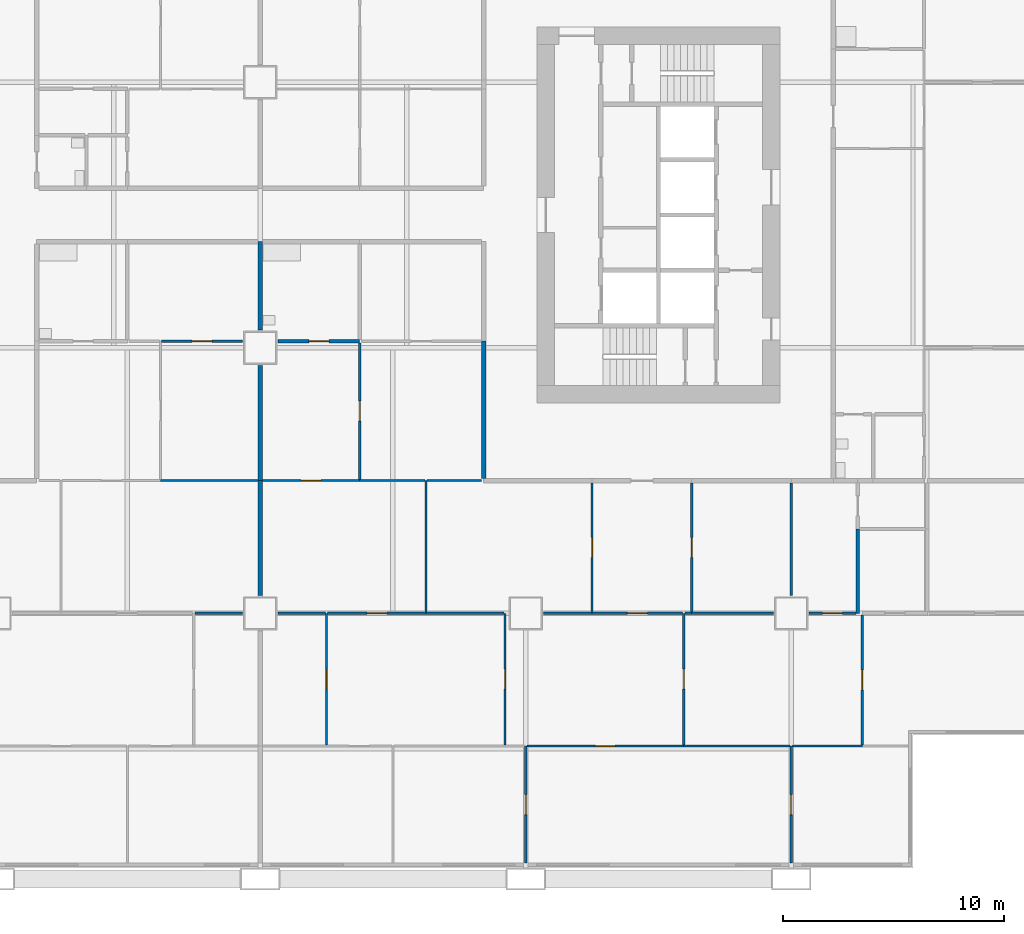
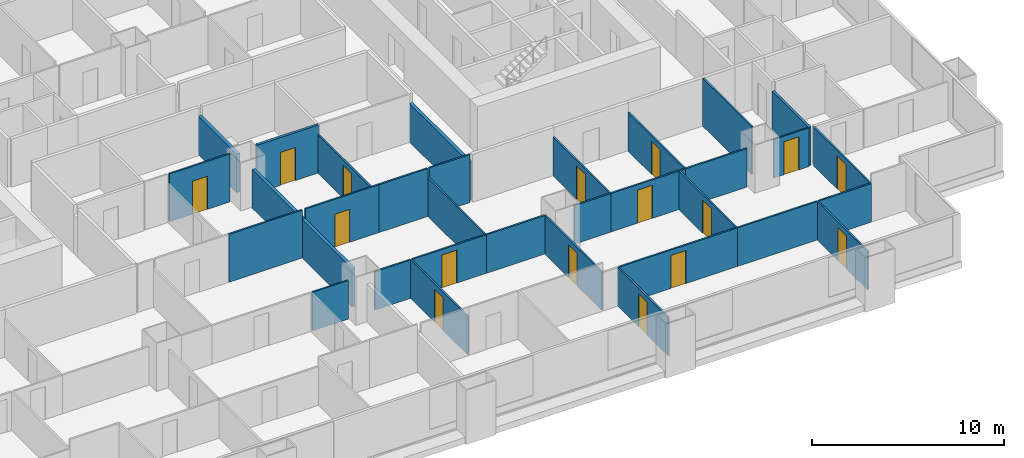
# One storey, part 5 of 13: 34 walls, 16 doors, 16 openings.
"""IFC4 building model written with IfcOpenShell, lengths in metres."""

from ifc_helpers import new_model, si_unit, direction, frame, frame_2d, origin, place, context, subcontext, project, spatial, rectangle, extrude, material, layer, layer_set, type_object, element, fill, save


model = new_model("IFC4")

# Units and contexts
model_context = context("Model", 3, precision=1e-05, world=origin(), true_north=direction((0.0, 1.0)))
body_context = subcontext(model_context, "Body", "Model", "MODEL_VIEW")
ifc_project = project(units=[si_unit("LENGTHUNIT", "METRE"), si_unit("AREAUNIT", "SQUARE_METRE"), si_unit("VOLUMEUNIT", "CUBIC_METRE"), si_unit("PLANEANGLEUNIT", "RADIAN"), si_unit("MASSUNIT", "GRAM", prefix="KILO")], contexts=[model_context])

# Site, building, storey
site_placement = place(None, origin())
site = spatial("IfcSite", under=ifc_project, at=site_placement, CompositionType="ELEMENT")
building_placement = place(site_placement, origin())
building = spatial("IfcBuilding", under=site, at=building_placement, Name="Kitamizu Gate Tower and Museum", CompositionType="ELEMENT")
storey_placement = place(building_placement, frame((0.0, 0.0, 36.89990234375)))
storey = spatial("IfcBuildingStorey", under=building, at=storey_placement, Name="L07", CompositionType="ELEMENT", Elevation=36.89990234375)

# Walls
ifc_material_1 = material(Name="Gypsum board on galvanised stud")
ifc_layer_1 = layer(ifc_material_1, 0.10009765625)
ifc_layer_set_1 = layer_set([ifc_layer_1], Name="Gypsum board on galvanised stud")
wall_type_1 = type_object("IfcWallType", Name="Partition 100 NOT RATED", PredefinedType="PARTITIONING", material=ifc_layer_set_1)
wall_1_placement = place(storey_placement, frame((35.199951171875, 12.0, 0.0), z_axis=(0.0, 0.0, 1.0), x_axis=(-1.0, 0.0, 0.0)))
element("IfcWall", 1, at=wall_1_placement, inside=storey, type_object=wall_type_1, Name="Partition L07-025", PredefinedType="PARTITIONING", context=body_context, shape_type="SweptSolid", body=[
    extrude(rectangle(XDim=2.14990234375, YDim=0.10009765625, at=frame_2d((1.074951171875, 0.0))), origin(), (0.0, 0.0, 1.0), 2.4501953125),
])
wall_2_placement = place(storey_placement, frame((35.89990234375, 18.0, 0.0), z_axis=(0.0, 0.0, 1.0), x_axis=(-1.0, 0.0, 0.0)))
element("IfcWall", 2, at=wall_2_placement, inside=storey, type_object=wall_type_1, Name="Partition L07-037", PredefinedType="PARTITIONING", context=body_context, shape_type="SweptSolid", body=[
    extrude(rectangle(XDim=4.39990234375, YDim=0.10009765625, at=frame_2d((2.199951171875, 0.0))), origin(), (0.0, 0.0, 1.0), 3.050048828125),
])

# Wall, opening, door
wall_3_placement = place(storey_placement, frame((35.199951171875, 24.300048828125, 0.0), z_axis=(0.0, 0.0, 1.0), x_axis=(-1.0, 0.0, 0.0)))
wall_3 = element("IfcWall", 3, at=wall_3_placement, inside=storey, type_object=wall_type_1, Name="Partition L07-044", PredefinedType="PARTITIONING", context=body_context, shape_type="SweptSolid", body=[
    extrude(rectangle(XDim=3.64990234375, YDim=0.10009765625, at=frame_2d((1.824951171875, 0.0))), origin(), (0.0, 0.0, 1.0), 3.050048828125),
])
opening_1_placement = place(wall_3_placement, frame((1.375, 0.0, 0.0)))
opening_1 = element("IfcOpeningElement", 4, at=opening_1_placement, cuts=wall_3, Name="Opening L07-018", PredefinedType="OPENING", context=body_context, shape_type="SweptSolid", body=[
    extrude(rectangle(XDim=0.89990234375, YDim=2.10009765625, at=frame_2d((0.449951171875, 1.050048828125))), frame((0.0, 0.06005859375, 0.0), z_axis=(0.0, -1.0, 0.0), x_axis=(1.0, 0.0, 0.0)), (0.0, 0.0, 1.0), 0.1201171875),
])
ifc_material_2 = material(Name="Timber door set", Category="wood")
door_type_1 = type_object("IfcDoorType", Name="Room door 900", OperationType="NOTDEFINED", PredefinedType="DOOR", material=ifc_material_2)
door_1_placement = place(opening_1_placement, frame((0.89990234375, 0.0, 0.0), x_axis=(-1.0, 0.0, 0.0)))
door_1 = element("IfcDoor", 5, at=door_1_placement, inside=storey, type_object=door_type_1, Name="Door L07-018", OperationType="SINGLE_SWING_LEFT", OverallHeight=2.10009765625, OverallWidth=0.89990234375, PredefinedType="DOOR", context=body_context, shape_type="SweptSolid", body=[
    extrude(rectangle(XDim=0.89990234375, YDim=2.10009765625, at=frame_2d((0.449951171875, 1.050048828125))), frame((0.0, 0.02490234375, 0.0), z_axis=(0.0, -1.0, 0.0), x_axis=(1.0, 0.0, 0.0)), (0.0, 0.0, 1.0), 0.050048828125),
])
fill(opening_1, door_1)

wall_4_placement = place(storey_placement, frame((48.0, 0.719970703125, 0.0), z_axis=(0.0, 0.0, 1.0), x_axis=(0.0, 1.0, 0.0)))
wall_4 = element("IfcWall", 6, at=wall_4_placement, inside=storey, type_object=wall_type_1, Name="Partition L07-076", PredefinedType="PARTITIONING", context=body_context, shape_type="SweptSolid", body=[
    extrude(rectangle(XDim=5.280029296875, YDim=0.10009765625, at=frame_2d((2.64013671875, 0.0))), origin(), (0.0, 0.0, 1.0), 2.4501953125),
])
opening_2_placement = place(wall_4_placement, frame((2.18994140625, 0.0, 0.0)))
opening_2 = element("IfcOpeningElement", 7, at=opening_2_placement, cuts=wall_4, Name="Opening L07-032", PredefinedType="OPENING", context=body_context, shape_type="SweptSolid", body=[
    extrude(rectangle(XDim=0.89990234375, YDim=2.10009765625, at=frame_2d((0.449951171875, 1.050048828125))), frame((0.0, 0.06005859375, 0.0), z_axis=(0.0, -1.0, 0.0), x_axis=(1.0, 0.0, 0.0)), (0.0, 0.0, 1.0), 0.1201171875),
])
door_2_placement = place(opening_2_placement, origin())
door_2 = element("IfcDoor", 8, at=door_2_placement, inside=storey, type_object=door_type_1, Name="Door L07-032", OperationType="SINGLE_SWING_LEFT", OverallHeight=2.10009765625, OverallWidth=0.89990234375, PredefinedType="DOOR", context=body_context, shape_type="SweptSolid", body=[
    extrude(rectangle(XDim=0.89990234375, YDim=2.10009765625, at=frame_2d((0.449951171875, 1.050048828125))), frame((0.0, 0.02490234375, 0.0), z_axis=(0.0, -1.0, 0.0), x_axis=(1.0, 0.0, 0.0)), (0.0, 0.0, 1.0), 0.050048828125),
])
fill(opening_2, door_2)

wall_5_placement = place(storey_placement, frame((60.0, 0.719970703125, 0.0), z_axis=(0.0, 0.0, 1.0), x_axis=(0.0, 1.0, 0.0)))
wall_5 = element("IfcWall", 9, at=wall_5_placement, inside=storey, type_object=wall_type_1, Name="Partition L07-079", PredefinedType="PARTITIONING", context=body_context, shape_type="SweptSolid", body=[
    extrude(rectangle(XDim=5.280029296875, YDim=0.10009765625, at=frame_2d((2.64013671875, 0.0))), origin(), (0.0, 0.0, 1.0), 2.4501953125),
])
opening_3_placement = place(wall_5_placement, frame((2.18994140625, 0.0, 0.0)))
opening_3 = element("IfcOpeningElement", 10, at=opening_3_placement, cuts=wall_5, Name="Opening L07-035", PredefinedType="OPENING", context=body_context, shape_type="SweptSolid", body=[
    extrude(rectangle(XDim=0.89990234375, YDim=2.10009765625, at=frame_2d((0.449951171875, 1.050048828125))), frame((0.0, 0.06005859375, 0.0), z_axis=(0.0, -1.0, 0.0), x_axis=(1.0, 0.0, 0.0)), (0.0, 0.0, 1.0), 0.1201171875),
])
door_3_placement = place(opening_3_placement, frame((0.89990234375, 0.0, 0.0), x_axis=(-1.0, 0.0, 0.0)))
door_3 = element("IfcDoor", 11, at=door_3_placement, inside=storey, type_object=door_type_1, Name="Door L07-035", OperationType="SINGLE_SWING_RIGHT", OverallHeight=2.10009765625, OverallWidth=0.89990234375, PredefinedType="DOOR", context=body_context, shape_type="SweptSolid", body=[
    extrude(rectangle(XDim=0.89990234375, YDim=2.10009765625, at=frame_2d((0.449951171875, 1.050048828125))), frame((0.0, 0.02490234375, 0.0), z_axis=(0.0, -1.0, 0.0), x_axis=(1.0, 0.0, 0.0)), (0.0, 0.0, 1.0), 0.050048828125),
])
fill(opening_3, door_3)

wall_6_placement = place(storey_placement, frame((55.139892578125, 6.0, 0.0), z_axis=(0.0, 0.0, 1.0), x_axis=(-1.0, 0.0, 0.0)))
wall_6 = element("IfcWall", 12, at=wall_6_placement, inside=storey, type_object=wall_type_1, Name="Partition L07-080", PredefinedType="PARTITIONING", context=body_context, shape_type="SweptSolid", body=[
    extrude(rectangle(XDim=7.08984375, YDim=0.10009765625, at=frame_2d((3.544921875, 0.0))), origin(), (0.0, 0.0, 1.0), 2.4501953125),
])
opening_4_placement = place(wall_6_placement, frame((3.094970703125, 0.0, 0.0)))
opening_4 = element("IfcOpeningElement", 13, at=opening_4_placement, cuts=wall_6, Name="Opening L07-029", PredefinedType="OPENING", context=body_context, shape_type="SweptSolid", body=[
    extrude(rectangle(XDim=0.89990234375, YDim=2.10009765625, at=frame_2d((0.449951171875, 1.050048828125))), frame((0.0, 0.06005859375, 0.0), z_axis=(0.0, -1.0, 0.0), x_axis=(1.0, 0.0, 0.0)), (0.0, 0.0, 1.0), 0.1201171875),
])
door_4_placement = place(opening_4_placement, frame((0.89990234375, 0.0, 0.0), x_axis=(-1.0, 0.0, 0.0)))
door_4 = element("IfcDoor", 14, at=door_4_placement, inside=storey, type_object=door_type_1, Name="Door L07-029", OperationType="SINGLE_SWING_LEFT", OverallHeight=2.10009765625, OverallWidth=0.89990234375, PredefinedType="DOOR", context=body_context, shape_type="SweptSolid", body=[
    extrude(rectangle(XDim=0.89990234375, YDim=2.10009765625, at=frame_2d((0.449951171875, 1.050048828125))), frame((0.0, 0.02490234375, 0.0), z_axis=(0.0, -1.0, 0.0), x_axis=(1.0, 0.0, 0.0)), (0.0, 0.0, 1.0), 0.050048828125),
])
fill(opening_4, door_4)

# Walls
wall_7_placement = place(storey_placement, frame((59.949951171875, 6.0, 0.0), z_axis=(0.0, 0.0, 1.0), x_axis=(-1.0, 0.0, 0.0)))
element("IfcWall", 15, at=wall_7_placement, inside=storey, type_object=wall_type_1, Name="Partition L07-081", PredefinedType="PARTITIONING", context=body_context, shape_type="SweptSolid", body=[
    extrude(rectangle(XDim=4.81005859375, YDim=0.10009765625, at=frame_2d((2.405029296875, 0.0))), origin(), (0.0, 0.0, 1.0), 2.4501953125),
])
wall_8_placement = place(storey_placement, frame((63.2099609375, 6.0, 0.0), z_axis=(0.0, 0.0, 1.0), x_axis=(-1.0, 0.0, 0.0)))
element("IfcWall", 16, at=wall_8_placement, inside=storey, type_object=wall_type_1, Name="Partition L07-082", PredefinedType="PARTITIONING", context=body_context, shape_type="SweptSolid", body=[
    extrude(rectangle(XDim=3.159912109375, YDim=0.10009765625, at=frame_2d((1.580078125, 0.0))), origin(), (0.0, 0.0, 1.0), 2.4501953125),
])

# Wall, opening, door
wall_9_placement = place(storey_placement, frame((39.0, 6.050048828125, 0.0), z_axis=(0.0, 0.0, 1.0), x_axis=(0.0, 1.0, 0.0)))
wall_9 = element("IfcWall", 17, at=wall_9_placement, inside=storey, type_object=wall_type_1, Name="Partition L07-084", PredefinedType="PARTITIONING", context=body_context, shape_type="SweptSolid", body=[
    extrude(rectangle(XDim=5.949951171875, YDim=0.10009765625, at=frame_2d((2.97509765625, 0.0))), origin(), (0.0, 0.0, 1.0), 2.4501953125),
])
opening_5_placement = place(wall_9_placement, frame((2.52490234375, 0.0, 0.0)))
opening_5 = element("IfcOpeningElement", 18, at=opening_5_placement, cuts=wall_9, Name="Opening L07-036", PredefinedType="OPENING", context=body_context, shape_type="SweptSolid", body=[
    extrude(rectangle(XDim=0.89990234375, YDim=2.10009765625, at=frame_2d((0.449951171875, 1.050048828125))), frame((0.0, 0.06005859375, 0.0), z_axis=(0.0, -1.0, 0.0), x_axis=(1.0, 0.0, 0.0)), (0.0, 0.0, 1.0), 0.1201171875),
])
door_5_placement = place(opening_5_placement, origin())
door_5 = element("IfcDoor", 19, at=door_5_placement, inside=storey, type_object=door_type_1, Name="Door L07-036", OperationType="SINGLE_SWING_RIGHT", OverallHeight=2.10009765625, OverallWidth=0.89990234375, PredefinedType="DOOR", context=body_context, shape_type="SweptSolid", body=[
    extrude(rectangle(XDim=0.89990234375, YDim=2.10009765625, at=frame_2d((0.449951171875, 1.050048828125))), frame((0.0, 0.02490234375, 0.0), z_axis=(0.0, -1.0, 0.0), x_axis=(1.0, 0.0, 0.0)), (0.0, 0.0, 1.0), 0.050048828125),
])
fill(opening_5, door_5)

# Wall
wall_10_placement = place(storey_placement, frame((38.949951171875, 12.0, 0.0), z_axis=(0.0, 0.0, 1.0), x_axis=(-1.0, 0.0, 0.0)))
element("IfcWall", 20, at=wall_10_placement, inside=storey, type_object=wall_type_1, Name="Partition L07-085", PredefinedType="PARTITIONING", context=body_context, shape_type="SweptSolid", body=[
    extrude(rectangle(XDim=2.14990234375, YDim=0.10009765625, at=frame_2d((1.074951171875, 0.0))), origin(), (0.0, 0.0, 1.0), 2.4501953125),
])

# Wall, opening, door
wall_11_placement = place(storey_placement, frame((47.070068359375, 6.050048828125, 0.0), z_axis=(0.0, 0.0, 1.0), x_axis=(0.0, 1.0, 0.0)))
wall_11 = element("IfcWall", 21, at=wall_11_placement, inside=storey, type_object=wall_type_1, Name="Partition L07-086", PredefinedType="PARTITIONING", context=body_context, shape_type="SweptSolid", body=[
    extrude(rectangle(XDim=5.949951171875, YDim=0.10009765625, at=frame_2d((2.97509765625, 0.0))), origin(), (0.0, 0.0, 1.0), 2.4501953125),
])
opening_6_placement = place(wall_11_placement, frame((2.52490234375, 0.0, 0.0)))
opening_6 = element("IfcOpeningElement", 22, at=opening_6_placement, cuts=wall_11, Name="Opening L07-030", PredefinedType="OPENING", context=body_context, shape_type="SweptSolid", body=[
    extrude(rectangle(XDim=0.89990234375, YDim=2.10009765625, at=frame_2d((0.449951171875, 1.050048828125))), frame((0.0, 0.06005859375, 0.0), z_axis=(0.0, -1.0, 0.0), x_axis=(1.0, 0.0, 0.0)), (0.0, 0.0, 1.0), 0.1201171875),
])
door_6_placement = place(opening_6_placement, frame((0.89990234375, 0.0, 0.0), x_axis=(-1.0, 0.0, 0.0)))
door_6 = element("IfcDoor", 23, at=door_6_placement, inside=storey, type_object=door_type_1, Name="Door L07-030", OperationType="SINGLE_SWING_RIGHT", OverallHeight=2.10009765625, OverallWidth=0.89990234375, PredefinedType="DOOR", context=body_context, shape_type="SweptSolid", body=[
    extrude(rectangle(XDim=0.89990234375, YDim=2.10009765625, at=frame_2d((0.449951171875, 1.050048828125))), frame((0.0, 0.02490234375, 0.0), z_axis=(0.0, -1.0, 0.0), x_axis=(1.0, 0.0, 0.0)), (0.0, 0.0, 1.0), 0.050048828125),
])
fill(opening_6, door_6)

wall_12_placement = place(storey_placement, frame((43.5, 12.0, 0.0), z_axis=(0.0, 0.0, 1.0), x_axis=(-1.0, 0.0, 0.0)))
wall_12 = element("IfcWall", 24, at=wall_12_placement, inside=storey, type_object=wall_type_1, Name="Partition L07-087", PredefinedType="PARTITIONING", context=body_context, shape_type="SweptSolid", body=[
    extrude(rectangle(XDim=4.449951171875, YDim=0.10009765625, at=frame_2d((2.22509765625, 0.0))), origin(), (0.0, 0.0, 1.0), 2.4501953125),
])
opening_7_placement = place(wall_12_placement, frame((1.77490234375, 0.0, 0.0)))
opening_7 = element("IfcOpeningElement", 25, at=opening_7_placement, cuts=wall_12, Name="Opening L07-037", PredefinedType="OPENING", context=body_context, shape_type="SweptSolid", body=[
    extrude(rectangle(XDim=0.89990234375, YDim=2.10009765625, at=frame_2d((0.449951171875, 1.050048828125))), frame((0.0, 0.06005859375, 0.0), z_axis=(0.0, -1.0, 0.0), x_axis=(1.0, 0.0, 0.0)), (0.0, 0.0, 1.0), 0.1201171875),
])
door_7_placement = place(opening_7_placement, frame((0.89990234375, 0.0, 0.0), x_axis=(-1.0, 0.0, 0.0)))
door_7 = element("IfcDoor", 26, at=door_7_placement, inside=storey, type_object=door_type_1, Name="Door L07-037", OperationType="SINGLE_SWING_RIGHT", OverallHeight=2.10009765625, OverallWidth=0.89990234375, PredefinedType="DOOR", context=body_context, shape_type="SweptSolid", body=[
    extrude(rectangle(XDim=0.89990234375, YDim=2.10009765625, at=frame_2d((0.449951171875, 1.050048828125))), frame((0.0, 0.02490234375, 0.0), z_axis=(0.0, -1.0, 0.0), x_axis=(1.0, 0.0, 0.0)), (0.0, 0.0, 1.0), 0.050048828125),
])
fill(opening_7, door_7)

# Wall
wall_13_placement = place(storey_placement, frame((47.02001953125, 12.0, 0.0), z_axis=(0.0, 0.0, 1.0), x_axis=(-1.0, 0.0, 0.0)))
element("IfcWall", 27, at=wall_13_placement, inside=storey, type_object=wall_type_1, Name="Partition L07-088", PredefinedType="PARTITIONING", context=body_context, shape_type="SweptSolid", body=[
    extrude(rectangle(XDim=3.52001953125, YDim=0.10009765625, at=frame_2d((1.760009765625, 0.0))), origin(), (0.0, 0.0, 1.0), 2.4501953125),
])

# Wall, opening, door
wall_14_placement = place(storey_placement, frame((55.139892578125, 6.050048828125, 0.0), z_axis=(0.0, 0.0, 1.0), x_axis=(0.0, 1.0, 0.0)))
wall_14 = element("IfcWall", 28, at=wall_14_placement, inside=storey, type_object=wall_type_1, Name="Partition L07-089", PredefinedType="PARTITIONING", context=body_context, shape_type="SweptSolid", body=[
    extrude(rectangle(XDim=5.949951171875, YDim=0.10009765625, at=frame_2d((2.97509765625, 0.0))), origin(), (0.0, 0.0, 1.0), 2.4501953125),
])
opening_8_placement = place(wall_14_placement, frame((2.52490234375, 0.0, 0.0)))
opening_8 = element("IfcOpeningElement", 29, at=opening_8_placement, cuts=wall_14, Name="Opening L07-031", PredefinedType="OPENING", context=body_context, shape_type="SweptSolid", body=[
    extrude(rectangle(XDim=0.89990234375, YDim=2.10009765625, at=frame_2d((0.449951171875, 1.050048828125))), frame((0.0, 0.06005859375, 0.0), z_axis=(0.0, -1.0, 0.0), x_axis=(1.0, 0.0, 0.0)), (0.0, 0.0, 1.0), 0.1201171875),
])
door_8_placement = place(opening_8_placement, origin())
door_8 = element("IfcDoor", 30, at=door_8_placement, inside=storey, type_object=door_type_1, Name="Door L07-031", OperationType="SINGLE_SWING_RIGHT", OverallHeight=2.10009765625, OverallWidth=0.89990234375, PredefinedType="DOOR", context=body_context, shape_type="SweptSolid", body=[
    extrude(rectangle(XDim=0.89990234375, YDim=2.10009765625, at=frame_2d((0.449951171875, 1.050048828125))), frame((0.0, 0.02490234375, 0.0), z_axis=(0.0, -1.0, 0.0), x_axis=(1.0, 0.0, 0.0)), (0.0, 0.0, 1.0), 0.050048828125),
])
fill(opening_8, door_8)

# Wall
wall_15_placement = place(storey_placement, frame((51.0, 12.0, 0.0), z_axis=(0.0, 0.0, 1.0), x_axis=(-1.0, 0.0, 0.0)))
element("IfcWall", 31, at=wall_15_placement, inside=storey, type_object=wall_type_1, Name="Partition L07-090", PredefinedType="PARTITIONING", context=body_context, shape_type="SweptSolid", body=[
    extrude(rectangle(XDim=2.199951171875, YDim=0.10009765625, at=frame_2d((1.10009765625, 0.0))), origin(), (0.0, 0.0, 1.0), 2.4501953125),
])

# Wall, opening, door
wall_16_placement = place(storey_placement, frame((55.090087890625, 12.0, 0.0), z_axis=(0.0, 0.0, 1.0), x_axis=(-1.0, 0.0, 0.0)))
wall_16 = element("IfcWall", 32, at=wall_16_placement, inside=storey, type_object=wall_type_1, Name="Partition L07-091", PredefinedType="PARTITIONING", context=body_context, shape_type="SweptSolid", body=[
    extrude(rectangle(XDim=4.090087890625, YDim=0.10009765625, at=frame_2d((2.044921875, 0.0))), origin(), (0.0, 0.0, 1.0), 2.4501953125),
])
opening_9_placement = place(wall_16_placement, frame((1.594970703125, 0.0, 0.0)))
opening_9 = element("IfcOpeningElement", 33, at=opening_9_placement, cuts=wall_16, Name="Opening L07-028", PredefinedType="OPENING", context=body_context, shape_type="SweptSolid", body=[
    extrude(rectangle(XDim=0.89990234375, YDim=2.10009765625, at=frame_2d((0.449951171875, 1.050048828125))), frame((0.0, 0.06005859375, 0.0), z_axis=(0.0, -1.0, 0.0), x_axis=(1.0, 0.0, 0.0)), (0.0, 0.0, 1.0), 0.1201171875),
])
door_9_placement = place(opening_9_placement, origin())
door_9 = element("IfcDoor", 34, at=door_9_placement, inside=storey, type_object=door_type_1, Name="Door L07-028", OperationType="SINGLE_SWING_LEFT", OverallHeight=2.10009765625, OverallWidth=0.89990234375, PredefinedType="DOOR", context=body_context, shape_type="SweptSolid", body=[
    extrude(rectangle(XDim=0.89990234375, YDim=2.10009765625, at=frame_2d((0.449951171875, 1.050048828125))), frame((0.0, 0.02490234375, 0.0), z_axis=(0.0, -1.0, 0.0), x_axis=(1.0, 0.0, 0.0)), (0.0, 0.0, 1.0), 0.050048828125),
])
fill(opening_9, door_9)

wall_17_placement = place(storey_placement, frame((63.2099609375, 6.050048828125, 0.0), z_axis=(0.0, 0.0, 1.0), x_axis=(0.0, 1.0, 0.0)))
wall_17 = element("IfcWall", 35, at=wall_17_placement, inside=storey, type_object=wall_type_1, Name="Partition L07-092", PredefinedType="PARTITIONING", context=body_context, shape_type="SweptSolid", body=[
    extrude(rectangle(XDim=5.875, YDim=0.10009765625, at=frame_2d((2.9375, 0.0))), origin(), (0.0, 0.0, 1.0), 2.4501953125),
])
opening_10_placement = place(wall_17_placement, frame((2.487548828125, 0.0, 0.0)))
opening_10 = element("IfcOpeningElement", 36, at=opening_10_placement, cuts=wall_17, Name="Opening L07-034", PredefinedType="OPENING", context=body_context, shape_type="SweptSolid", body=[
    extrude(rectangle(XDim=0.89990234375, YDim=2.10009765625, at=frame_2d((0.449951171875, 1.050048828125))), frame((0.0, 0.06005859375, 0.0), z_axis=(0.0, -1.0, 0.0), x_axis=(1.0, 0.0, 0.0)), (0.0, 0.0, 1.0), 0.1201171875),
])
door_10_placement = place(opening_10_placement, frame((0.89990234375, 0.0, 0.0), x_axis=(-1.0, 0.0, 0.0)))
door_10 = element("IfcDoor", 37, at=door_10_placement, inside=storey, type_object=door_type_1, Name="Door L07-034", OperationType="SINGLE_SWING_LEFT", OverallHeight=2.10009765625, OverallWidth=0.89990234375, PredefinedType="DOOR", context=body_context, shape_type="SweptSolid", body=[
    extrude(rectangle(XDim=0.89990234375, YDim=2.10009765625, at=frame_2d((0.449951171875, 1.050048828125))), frame((0.0, 0.02490234375, 0.0), z_axis=(0.0, -1.0, 0.0), x_axis=(1.0, 0.0, 0.0)), (0.0, 0.0, 1.0), 0.050048828125),
])
fill(opening_10, door_10)

# Walls
wall_18_placement = place(storey_placement, frame((55.5, 12.0, 0.0), z_axis=(0.0, 0.0, 1.0), x_axis=(-1.0, 0.0, 0.0)))
element("IfcWall", 38, at=wall_18_placement, inside=storey, type_object=wall_type_1, Name="Partition L07-093", PredefinedType="PARTITIONING", context=body_context, shape_type="SweptSolid", body=[
    extrude(rectangle(XDim=0.31005859375, YDim=0.10009765625, at=frame_2d((0.155029296875, 0.0))), origin(), (0.0, 0.0, 1.0), 2.4501953125),
])
wall_19_placement = place(storey_placement, frame((59.199951171875, 12.0, 0.0), z_axis=(0.0, 0.0, 1.0), x_axis=(-1.0, 0.0, 0.0)))
element("IfcWall", 39, at=wall_19_placement, inside=storey, type_object=wall_type_1, Name="Partition L07-094", PredefinedType="PARTITIONING", context=body_context, shape_type="SweptSolid", body=[
    extrude(rectangle(XDim=3.699951171875, YDim=0.10009765625, at=frame_2d((1.85009765625, 0.0))), origin(), (0.0, 0.0, 1.0), 2.4501953125),
])

# Wall, opening, door
wall_20_placement = place(storey_placement, frame((62.925048828125, 12.0, 0.0), z_axis=(0.0, 0.0, 1.0), x_axis=(-1.0, 0.0, 0.0)))
wall_20 = element("IfcWall", 40, at=wall_20_placement, inside=storey, type_object=wall_type_1, Name="Partition L07-095", PredefinedType="PARTITIONING", context=body_context, shape_type="SweptSolid", body=[
    extrude(rectangle(XDim=2.125, YDim=0.10009765625, at=frame_2d((1.0625, 0.0))), origin(), (0.0, 0.0, 1.0), 2.4501953125),
])
opening_11_placement = place(wall_20_placement, frame((0.612548828125, 0.0, 0.0)))
opening_11 = element("IfcOpeningElement", 41, at=opening_11_placement, cuts=wall_20, Name="Opening L07-040", PredefinedType="OPENING", context=body_context, shape_type="SweptSolid", body=[
    extrude(rectangle(XDim=0.89990234375, YDim=2.10009765625, at=frame_2d((0.449951171875, 1.050048828125))), frame((0.0, 0.06005859375, 0.0), z_axis=(0.0, -1.0, 0.0), x_axis=(1.0, 0.0, 0.0)), (0.0, 0.0, 1.0), 0.1201171875),
])
door_11_placement = place(opening_11_placement, frame((0.89990234375, 0.0, 0.0), x_axis=(-1.0, 0.0, 0.0)))
door_11 = element("IfcDoor", 42, at=door_11_placement, inside=storey, type_object=door_type_1, Name="Door L07-040", OperationType="SINGLE_SWING_LEFT", OverallHeight=2.10009765625, OverallWidth=0.89990234375, PredefinedType="DOOR", context=body_context, shape_type="SweptSolid", body=[
    extrude(rectangle(XDim=0.89990234375, YDim=2.10009765625, at=frame_2d((0.449951171875, 1.050048828125))), frame((0.0, 0.02490234375, 0.0), z_axis=(0.0, -1.0, 0.0), x_axis=(1.0, 0.0, 0.0)), (0.0, 0.0, 1.0), 0.050048828125),
])
fill(opening_11, door_11)

# Wall
wall_21_placement = place(storey_placement, frame((43.5, 12.050048828125, 0.0), z_axis=(0.0, 0.0, 1.0), x_axis=(0.0, 1.0, 0.0)))
element("IfcWall", 43, at=wall_21_placement, inside=storey, type_object=wall_type_1, Name="Partition L07-098", PredefinedType="PARTITIONING", context=body_context, shape_type="SweptSolid", body=[
    extrude(rectangle(XDim=5.949951171875, YDim=0.10009765625, at=frame_2d((2.97509765625, 0.0))), origin(), (0.0, 0.0, 1.0), 2.4501953125),
])

# Wall, opening, door
wall_22_placement = place(storey_placement, frame((40.5, 18.0, 0.0), z_axis=(0.0, 0.0, 1.0), x_axis=(-1.0, 0.0, 0.0)))
wall_22 = element("IfcWall", 44, at=wall_22_placement, inside=storey, type_object=wall_type_1, Name="Partition L07-099", PredefinedType="PARTITIONING", context=body_context, shape_type="SweptSolid", body=[
    extrude(rectangle(XDim=4.39990234375, YDim=0.10009765625, at=frame_2d((2.199951171875, 0.0))), origin(), (0.0, 0.0, 1.0), 3.050048828125),
])
opening_12_placement = place(wall_22_placement, frame((1.75, 0.0, 0.0)))
opening_12 = element("IfcOpeningElement", 45, at=opening_12_placement, cuts=wall_22, Name="Opening L07-044", PredefinedType="OPENING", context=body_context, shape_type="SweptSolid", body=[
    extrude(rectangle(XDim=0.89990234375, YDim=2.10009765625, at=frame_2d((0.449951171875, 1.050048828125))), frame((0.0, 0.06005859375, 0.0), z_axis=(0.0, -1.0, 0.0), x_axis=(1.0, 0.0, 0.0)), (0.0, 0.0, 1.0), 0.1201171875),
])
door_12_placement = place(opening_12_placement, frame((0.89990234375, 0.0, 0.0), x_axis=(-1.0, 0.0, 0.0)))
door_12 = element("IfcDoor", 46, at=door_12_placement, inside=storey, type_object=door_type_1, Name="Door L07-044", OperationType="SINGLE_SWING_LEFT", OverallHeight=2.10009765625, OverallWidth=0.89990234375, PredefinedType="DOOR", context=body_context, shape_type="SweptSolid", body=[
    extrude(rectangle(XDim=0.89990234375, YDim=2.10009765625, at=frame_2d((0.449951171875, 1.050048828125))), frame((0.0, 0.02490234375, 0.0), z_axis=(0.0, -1.0, 0.0), x_axis=(1.0, 0.0, 0.0)), (0.0, 0.0, 1.0), 0.050048828125),
])
fill(opening_12, door_12)

# Wall
wall_23_placement = place(storey_placement, frame((43.449951171875, 18.0, 0.0), z_axis=(0.0, 0.0, 1.0), x_axis=(-1.0, 0.0, 0.0)))
element("IfcWall", 47, at=wall_23_placement, inside=storey, type_object=wall_type_1, Name="Partition L07-100", PredefinedType="PARTITIONING", context=body_context, shape_type="SweptSolid", body=[
    extrude(rectangle(XDim=2.949951171875, YDim=0.10009765625, at=frame_2d((1.47509765625, 0.0))), origin(), (0.0, 0.0, 1.0), 3.050048828125),
])

# Wall, opening, door
wall_24_placement = place(storey_placement, frame((51.0, 12.050048828125, 0.0), z_axis=(0.0, 0.0, 1.0), x_axis=(0.0, 1.0, 0.0)))
wall_24 = element("IfcWall", 48, at=wall_24_placement, inside=storey, type_object=wall_type_1, Name="Partition L07-101", PredefinedType="PARTITIONING", context=body_context, shape_type="SweptSolid", body=[
    extrude(rectangle(XDim=5.849853515625, YDim=0.10009765625, at=frame_2d((2.9248046875, 0.0))), origin(), (0.0, 0.0, 1.0), 2.4501953125),
])
opening_13_placement = place(wall_24_placement, frame((2.47509765625, 0.0, 0.0)))
opening_13 = element("IfcOpeningElement", 49, at=opening_13_placement, cuts=wall_24, Name="Opening L07-038", PredefinedType="OPENING", context=body_context, shape_type="SweptSolid", body=[
    extrude(rectangle(XDim=0.89990234375, YDim=2.10009765625, at=frame_2d((0.449951171875, 1.050048828125))), frame((0.0, 0.06005859375, 0.0), z_axis=(0.0, -1.0, 0.0), x_axis=(1.0, 0.0, 0.0)), (0.0, 0.0, 1.0), 0.1201171875),
])
door_13_placement = place(opening_13_placement, origin())
door_13 = element("IfcDoor", 50, at=door_13_placement, inside=storey, type_object=door_type_1, Name="Door L07-038", OperationType="SINGLE_SWING_RIGHT", OverallHeight=2.10009765625, OverallWidth=0.89990234375, PredefinedType="DOOR", context=body_context, shape_type="SweptSolid", body=[
    extrude(rectangle(XDim=0.89990234375, YDim=2.10009765625, at=frame_2d((0.449951171875, 1.050048828125))), frame((0.0, 0.02490234375, 0.0), z_axis=(0.0, -1.0, 0.0), x_axis=(1.0, 0.0, 0.0)), (0.0, 0.0, 1.0), 0.050048828125),
])
fill(opening_13, door_13)

# Wall
wall_25_placement = place(storey_placement, frame((46.0, 18.0, 0.0), z_axis=(0.0, 0.0, 1.0), x_axis=(-1.0, 0.0, 0.0)))
element("IfcWall", 51, at=wall_25_placement, inside=storey, type_object=wall_type_1, Name="Partition L07-102", PredefinedType="PARTITIONING", context=body_context, shape_type="SweptSolid", body=[
    extrude(rectangle(XDim=2.449951171875, YDim=0.10009765625, at=frame_2d((1.22509765625, 0.0))), origin(), (0.0, 0.0, 1.0), 3.050048828125),
])

# Wall, opening, door
wall_26_placement = place(storey_placement, frame((55.5, 12.050048828125, 0.0), z_axis=(0.0, 0.0, 1.0), x_axis=(0.0, 1.0, 0.0)))
wall_26 = element("IfcWall", 52, at=wall_26_placement, inside=storey, type_object=wall_type_1, Name="Partition L07-104", PredefinedType="PARTITIONING", context=body_context, shape_type="SweptSolid", body=[
    extrude(rectangle(XDim=5.849853515625, YDim=0.10009765625, at=frame_2d((2.9248046875, 0.0))), origin(), (0.0, 0.0, 1.0), 2.4501953125),
])
opening_14_placement = place(wall_26_placement, frame((2.47509765625, 0.0, 0.0)))
opening_14 = element("IfcOpeningElement", 53, at=opening_14_placement, cuts=wall_26, Name="Opening L07-039", PredefinedType="OPENING", context=body_context, shape_type="SweptSolid", body=[
    extrude(rectangle(XDim=0.89990234375, YDim=2.10009765625, at=frame_2d((0.449951171875, 1.050048828125))), frame((0.0, 0.06005859375, 0.0), z_axis=(0.0, -1.0, 0.0), x_axis=(1.0, 0.0, 0.0)), (0.0, 0.0, 1.0), 0.1201171875),
])
door_14_placement = place(opening_14_placement, frame((0.89990234375, 0.0, 0.0), x_axis=(-1.0, 0.0, 0.0)))
door_14 = element("IfcDoor", 54, at=door_14_placement, inside=storey, type_object=door_type_1, Name="Door L07-039", OperationType="SINGLE_SWING_RIGHT", OverallHeight=2.10009765625, OverallWidth=0.89990234375, PredefinedType="DOOR", context=body_context, shape_type="SweptSolid", body=[
    extrude(rectangle(XDim=0.89990234375, YDim=2.10009765625, at=frame_2d((0.449951171875, 1.050048828125))), frame((0.0, 0.02490234375, 0.0), z_axis=(0.0, -1.0, 0.0), x_axis=(1.0, 0.0, 0.0)), (0.0, 0.0, 1.0), 0.050048828125),
])
fill(opening_14, door_14)

# Wall
wall_27_placement = place(storey_placement, frame((60.0, 12.800048828125, 0.0), z_axis=(0.0, 0.0, 1.0), x_axis=(0.0, 1.0, 0.0)))
element("IfcWall", 55, at=wall_27_placement, inside=storey, type_object=wall_type_1, Name="Partition L07-106", PredefinedType="PARTITIONING", context=body_context, shape_type="SweptSolid", body=[
    extrude(rectangle(XDim=5.099853515625, YDim=0.10009765625, at=frame_2d((2.5498046875, 0.0))), origin(), (0.0, 0.0, 1.0), 3.050048828125),
])

# Wall, opening, door
wall_28_placement = place(storey_placement, frame((40.5, 18.050048828125, 0.0), z_axis=(0.0, 0.0, 1.0), x_axis=(0.0, 1.0, 0.0)))
wall_28 = element("IfcWall", 56, at=wall_28_placement, inside=storey, type_object=wall_type_1, Name="Partition L07-118", PredefinedType="PARTITIONING", context=body_context, shape_type="SweptSolid", body=[
    extrude(rectangle(XDim=6.175048828125, YDim=0.10009765625, at=frame_2d((3.08740234375, 0.0))), origin(), (0.0, 0.0, 1.0), 2.4501953125),
])
opening_15_placement = place(wall_28_placement, frame((2.637451171875, 0.0, 0.0)))
opening_15 = element("IfcOpeningElement", 57, at=opening_15_placement, cuts=wall_28, Name="Opening L07-045", PredefinedType="OPENING", context=body_context, shape_type="SweptSolid", body=[
    extrude(rectangle(XDim=0.89990234375, YDim=2.10009765625, at=frame_2d((0.449951171875, 1.050048828125))), frame((0.0, 0.06005859375, 0.0), z_axis=(0.0, -1.0, 0.0), x_axis=(1.0, 0.0, 0.0)), (0.0, 0.0, 1.0), 0.1201171875),
])
door_15_placement = place(opening_15_placement, origin())
door_15 = element("IfcDoor", 58, at=door_15_placement, inside=storey, type_object=door_type_1, Name="Door L07-045", OperationType="SINGLE_SWING_LEFT", OverallHeight=2.10009765625, OverallWidth=0.89990234375, PredefinedType="DOOR", context=body_context, shape_type="SweptSolid", body=[
    extrude(rectangle(XDim=0.89990234375, YDim=2.10009765625, at=frame_2d((0.449951171875, 1.050048828125))), frame((0.0, 0.02490234375, 0.0), z_axis=(0.0, -1.0, 0.0), x_axis=(1.0, 0.0, 0.0)), (0.0, 0.0, 1.0), 0.050048828125),
])
fill(opening_15, door_15)

# Wall
ifc_material_3 = material(Name="Gypsum board on galvanised stud")
ifc_layer_2 = layer(ifc_material_3, 0.14990234375)
ifc_layer_set_2 = layer_set([ifc_layer_2], Name="Gypsum board on galvanised stud")
wall_type_2 = type_object("IfcWallType", Name="Partition 150", PredefinedType="PARTITIONING", material=ifc_layer_set_2)
wall_29_placement = place(storey_placement, frame((63.0, 12.0, 0.0), z_axis=(0.0, 0.0, 1.0), x_axis=(0.0, 1.0, 0.0)))
element("IfcWall", 59, at=wall_29_placement, inside=storey, type_object=wall_type_2, Name="Partition L07-108", PredefinedType="PARTITIONING", context=body_context, shape_type="SweptSolid", body=[
    extrude(rectangle(XDim=3.81396484375, YDim=0.14990234375, at=frame_2d((1.906982421875, 0.0))), origin(), (0.0, 0.0, 1.0), 2.4501953125),
])

# Wall, opening, door
wall_30_placement = place(storey_placement, frame((40.5, 24.300048828125, 0.0), z_axis=(0.0, 0.0, 1.0), x_axis=(-1.0, 0.0, 0.0)))
wall_30 = element("IfcWall", 60, at=wall_30_placement, inside=storey, type_object=wall_type_2, Name="Partition L07-119", PredefinedType="PARTITIONING", context=body_context, shape_type="SweptSolid", body=[
    extrude(rectangle(XDim=3.699951171875, YDim=0.14990234375, at=frame_2d((1.85009765625, 0.0))), origin(), (0.0, 0.0, 1.0), 3.050048828125),
])
opening_16_placement = place(wall_30_placement, frame((1.39990234375, 0.0, 0.0)))
opening_16 = element("IfcOpeningElement", 61, at=opening_16_placement, cuts=wall_30, Name="Opening L07-046", PredefinedType="OPENING", context=body_context, shape_type="SweptSolid", body=[
    extrude(rectangle(XDim=0.89990234375, YDim=2.10009765625, at=frame_2d((0.449951171875, 1.050048828125))), frame((0.0, 0.0849609375, 0.0), z_axis=(0.0, -1.0, 0.0), x_axis=(1.0, 0.0, 0.0)), (0.0, 0.0, 1.0), 0.169921875),
])
ifc_material_4 = material(Name="Timber door set", Category="wood")
door_type_2 = type_object("IfcDoorType", Name="Bathroom door 900", OperationType="NOTDEFINED", PredefinedType="DOOR", material=ifc_material_4)
door_16_placement = place(opening_16_placement, frame((0.89990234375, 0.0, 0.0), x_axis=(-1.0, 0.0, 0.0)))
door_16 = element("IfcDoor", 62, at=door_16_placement, inside=storey, type_object=door_type_2, Name="Bathroom door L07-046", OperationType="SINGLE_SWING_LEFT", OverallHeight=2.10009765625, OverallWidth=0.89990234375, PredefinedType="DOOR", context=body_context, shape_type="SweptSolid", body=[
    extrude(rectangle(XDim=0.89990234375, YDim=2.10009765625, at=frame_2d((0.449951171875, 1.050048828125))), frame((0.0, 0.02490234375, 0.0), z_axis=(0.0, -1.0, 0.0), x_axis=(1.0, 0.0, 0.0)), (0.0, 0.0, 1.0), 0.050048828125),
])
fill(opening_16, door_16)

# Walls
ifc_material_5 = material(Name="Gypsum board on galvanised stud")
ifc_layer_3 = layer(ifc_material_5, 0.199951171875)
ifc_layer_set_3 = layer_set([ifc_layer_3], Name="Gypsum board on galvanised stud")
wall_type_3 = type_object("IfcWallType", Name="Partition 200", PredefinedType="PARTITIONING", material=ifc_layer_set_3)
for number, where, z_axis, x_axis, name in (
    (63, (36.0, 12.800048828125, 0.0), (0.0, 0.0, 1.0), (0.0, 1.0, 0.0), "Partition L07-038"),
    (64, (36.0, 18.0, 0.0), (0.0, 0.0, 1.0), (0.0, 1.0, 0.0), "Partition L07-045"),
):
    element("IfcWall", number, at=place(storey_placement, frame(where, z_axis=z_axis, x_axis=x_axis)), inside=storey, type_object=wall_type_3, Name=name, PredefinedType="PARTITIONING", context=body_context, shape_type="SweptSolid", body=[
        extrude(rectangle(XDim=5.199951171875, YDim=0.199951171875, at=frame_2d((2.60009765625, 0.0))), origin(), (0.0, 0.0, 1.0), 2.4501953125),
    ])
wall_31_placement = place(storey_placement, frame((36.0, 24.800048828125, 0.0), z_axis=(0.0, 0.0, 1.0), x_axis=(0.0, 1.0, 0.0)))
element("IfcWall", 65, at=wall_31_placement, inside=storey, type_object=wall_type_3, Name="Partition L07-049", PredefinedType="PARTITIONING", context=body_context, shape_type="SweptSolid", body=[
    extrude(rectangle(XDim=4.0, YDim=0.199951171875, at=frame_2d((2.0, 0.0))), origin(), (0.0, 0.0, 1.0), 2.4501953125),
])
wall_32_placement = place(storey_placement, frame((46.10009765625, 18.10009765625, 0.0), z_axis=(0.0, 0.0, 1.0), x_axis=(0.0, 1.0, 0.0)))
element("IfcWall", 66, at=wall_32_placement, inside=storey, type_object=wall_type_3, Name="Partition L07-121", PredefinedType="PARTITIONING", context=body_context, shape_type="SweptSolid", body=[
    extrude(rectangle(XDim=6.199951171875, YDim=0.199951171875, at=frame_2d((3.10009765625, 0.0))), origin(), (0.0, 0.0, 1.0), 2.4501953125),
])

save(model, "model.ifc")
